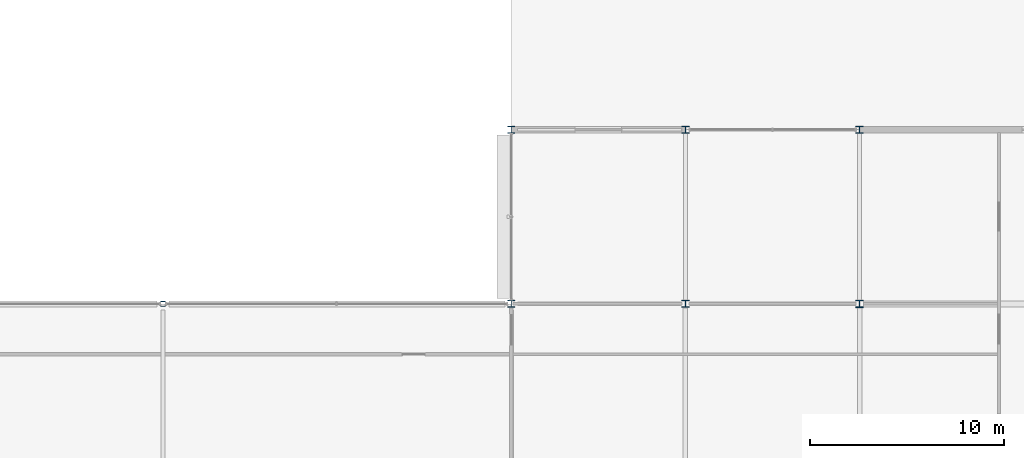
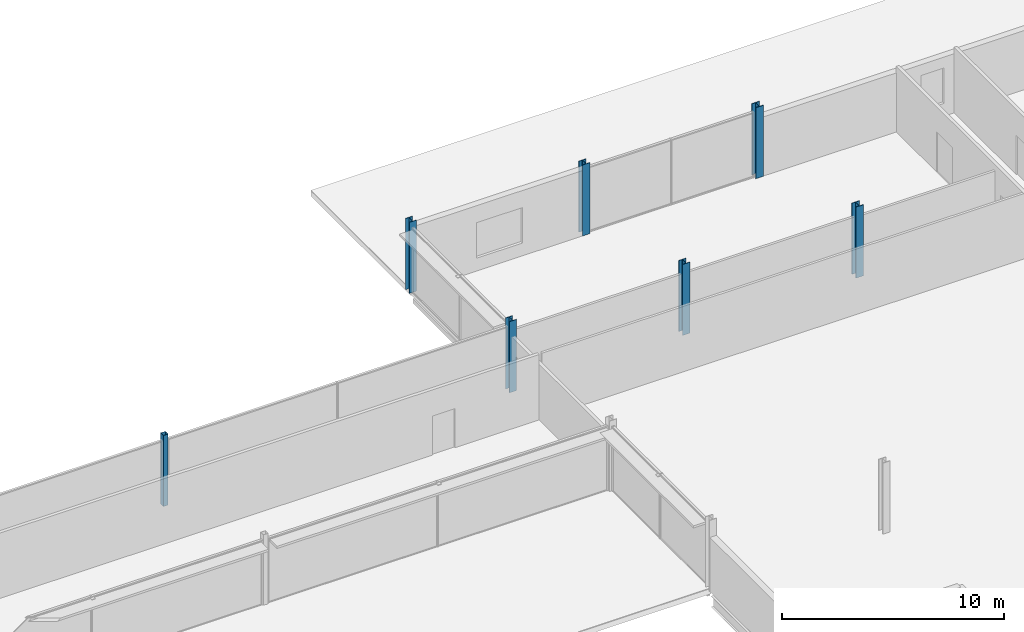
# One storey, part 16 of 105: 7 columns.
"""IFC4 building model written with IfcOpenShell, lengths in metres."""

from ifc_helpers import new_model, si_unit, direction, frame, origin, origin_2d, place, context, subcontext, project, spatial, hollow_rectangle, i_section, extrude, material, material_profile, profile_set, type_object, element, save


model = new_model("IFC4")

# Units and contexts
model_context = context("Model", 3, precision=1e-05, world=origin(), true_north=direction((0.0, 1.0)))
body_context = subcontext(model_context, "Body", "Model", "MODEL_VIEW")
ifc_project = project(units=[si_unit("LENGTHUNIT", "METRE"), si_unit("AREAUNIT", "SQUARE_METRE"), si_unit("VOLUMEUNIT", "CUBIC_METRE"), si_unit("PLANEANGLEUNIT", "RADIAN"), si_unit("MASSUNIT", "GRAM", prefix="KILO")], contexts=[model_context])

# Site, building, storey
site_placement = place(None, origin())
site = spatial("IfcSite", under=ifc_project, at=site_placement, CompositionType="ELEMENT")
building_placement = place(site_placement, origin())
building = spatial("IfcBuilding", under=site, at=building_placement, Name="Kisiwana Market Hall", CompositionType="ELEMENT")
storey_placement = place(building_placement, frame((0.0, 0.0, 21.60009765625)))
storey = spatial("IfcBuildingStorey", under=building, at=storey_placement, Name="L04", CompositionType="ELEMENT", Elevation=21.60009765625)

# Columns
ifc_material_1 = material(Name="Steel S355", Category="steel")
ifc_material_profile_1 = material_profile(ifc_material_1, hollow_rectangle(XDim=0.25, YDim=0.25, WallThickness=0.012451171875, at=origin_2d()), Name="SHS 250x250x12.5")
ifc_profile_set_1 = profile_set([ifc_material_profile_1], Name="Steel S355")
column_type_1 = type_object("IfcColumnType", Name="COL-STL-SHS250", PredefinedType="COLUMN", material=ifc_profile_set_1)
column_placement = place(storey_placement, frame((135.0, 102.0, 0.0), z_axis=(0.0, 0.0, 1.0), x_axis=(1.0, 0.0, 0.0)))
element("IfcColumn", 1, at=column_placement, inside=storey, type_object=column_type_1, Name="Column N/16 (L04) C-0842", PredefinedType="COLUMN", context=body_context, shape_type="SweptSolid", body=[
    extrude(hollow_rectangle(XDim=0.25, YDim=0.25, WallThickness=0.012451171875, at=origin_2d()), origin(), (0.0, 0.0, 1.0), 3.89990234375),
])
ifc_material_2 = material(Name="Steel S355", Category="steel")
ifc_material_profile_2 = material_profile(ifc_material_2, i_section(OverallWidth=0.37255859375, OverallDepth=0.3681640625, WebThickness=0.014404296875, FlangeThickness=0.023681640625, FilletRadius=0.01513671875, at=origin_2d()), Name="UC 356x368x177")
ifc_profile_set_2 = profile_set([ifc_material_profile_2], Name="Steel S355")
column_type_2 = type_object("IfcColumnType", Name="COL-STL-UC177", PredefinedType="COLUMN", material=ifc_profile_set_2)
for number, where, z_axis, x_axis, name in (
    (2, (153.0, 102.0, 0.0), (0.0, 0.0, 1.0), (1.0, 0.0, 0.0), "Column N/18 (L04) C-0850"),
    (3, (153.0, 111.0, 0.0), (0.0, 0.0, 1.0), (1.0, 0.0, 0.0), "Column P/18 (L04) C-0851"),
    (4, (162.0, 102.0, 0.0), (0.0, 0.0, 1.0), (1.0, 0.0, 0.0), "Column N/19 (L04) C-0856"),
    (5, (162.0, 111.0, 0.0), (0.0, 0.0, 1.0), (1.0, 0.0, 0.0), "Column P/19 (L04) C-0857"),
):
    element("IfcColumn", number, at=place(storey_placement, frame(where, z_axis=z_axis, x_axis=x_axis)), inside=storey, type_object=column_type_2, Name=name, PredefinedType="COLUMN", context=body_context, shape_type="SweptSolid", body=[
        extrude(i_section(OverallWidth=0.37255859375, OverallDepth=0.3681640625, WebThickness=0.014404296875, FlangeThickness=0.023681640625, FilletRadius=0.01513671875, at=origin_2d()), origin(), (0.0, 0.0, 1.0), 3.89990234375),
    ])
ifc_material_3 = material(Name="Steel S355", Category="steel")
ifc_material_profile_3 = material_profile(ifc_material_3, i_section(OverallWidth=0.394775390625, OverallDepth=0.381103515625, WebThickness=0.018310546875, FlangeThickness=0.0302734375, at=origin_2d()), Name="UC 356x406x235")
ifc_profile_set_3 = profile_set([ifc_material_profile_3], Name="Steel S355")
column_type_3 = type_object("IfcColumnType", Name="COL-STL-UC235", PredefinedType="COLUMN", material=ifc_profile_set_3)
for number, where, z_axis, x_axis, name in (
    (6, (171.0, 102.0, 0.0), (0.0, 0.0, 1.0), (1.0, 0.0, 0.0), "Column N/20 (L04) C-0863"),
    (7, (171.0, 111.0, 0.0), (0.0, 0.0, 1.0), (1.0, 0.0, 0.0), "Column P/20 (L04) C-0864"),
):
    element("IfcColumn", number, at=place(storey_placement, frame(where, z_axis=z_axis, x_axis=x_axis)), inside=storey, type_object=column_type_3, Name=name, PredefinedType="COLUMN", context=body_context, shape_type="SweptSolid", body=[
        extrude(i_section(OverallWidth=0.394775390625, OverallDepth=0.381103515625, WebThickness=0.018310546875, FlangeThickness=0.0302734375, at=origin_2d()), origin(), (0.0, 0.0, 1.0), 3.89990234375),
    ])

save(model, "model.ifc")
